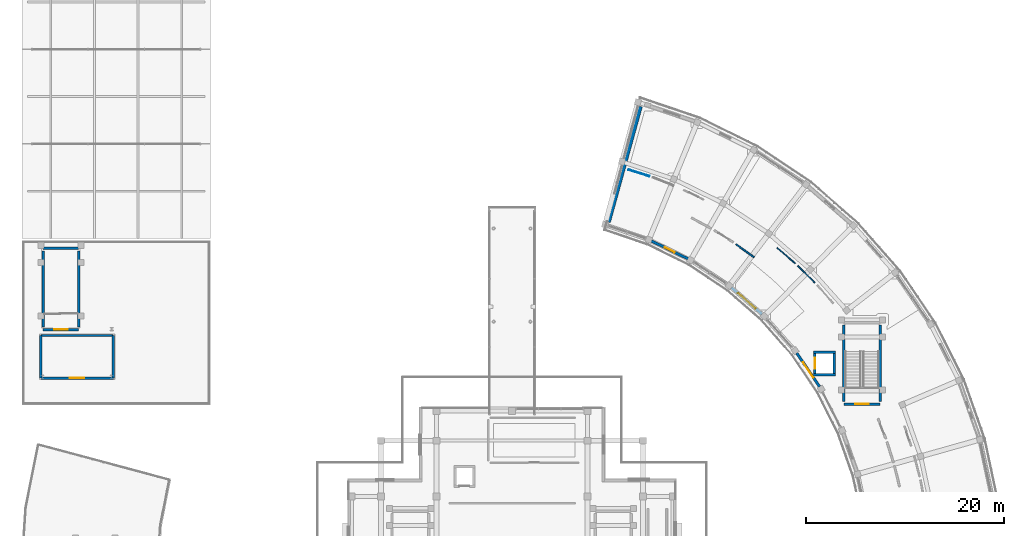
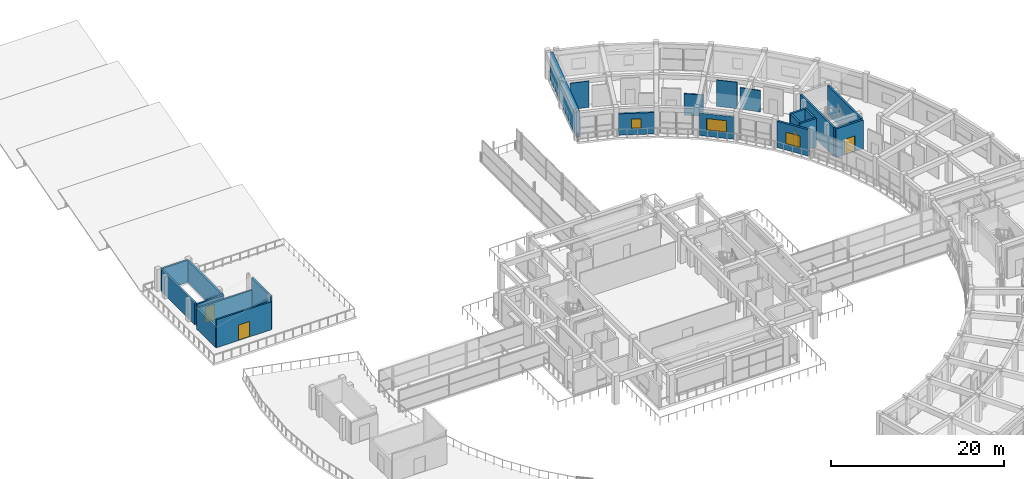
# One storey, part 38 of 53: 23 walls, 4 doors, 3 windows, 7 openings.
"""IFC4 building model written with IfcOpenShell, lengths in metres."""

from ifc_helpers import new_model, si_unit, direction, frame, frame_2d, origin, place, context, subcontext, project, spatial, rectangle, extrude, material, layer, layer_set, type_object, element, fill, save


model = new_model("IFC4")

# Units and contexts
model_context = context("Model", 3, precision=1e-05, world=origin(), true_north=direction((0.0, 1.0)))
body_context = subcontext(model_context, "Body", "Model", "MODEL_VIEW")
ifc_project = project(units=[si_unit("LENGTHUNIT", "METRE"), si_unit("AREAUNIT", "SQUARE_METRE"), si_unit("VOLUMEUNIT", "CUBIC_METRE"), si_unit("PLANEANGLEUNIT", "RADIAN"), si_unit("MASSUNIT", "GRAM", prefix="KILO")], contexts=[model_context])

# Site, building, storey
site_placement = place(None, origin())
site = spatial("IfcSite", under=ifc_project, at=site_placement, CompositionType="ELEMENT")
building_placement = place(site_placement, origin())
building = spatial("IfcBuilding", under=site, at=building_placement, Name="Saryqyr Civic Hall", CompositionType="ELEMENT")
storey_placement = place(building_placement, frame((0.0, 0.0, 21.300048828125)))
storey = spatial("IfcBuildingStorey", under=building, at=storey_placement, Name="L05", CompositionType="ELEMENT", Elevation=21.300048828125)

# Wall, opening, door
ifc_material_1 = material(Name="Precast concrete C40/50", Category="concrete")
ifc_layer_1 = layer(ifc_material_1, 0.219970703125, Name="Precast concrete C40/50")
ifc_layer_set_1 = layer_set([ifc_layer_1], Name="Precast concrete C40/50")
wall_type_1 = type_object("IfcWallType", Name="ENV-WAL-EXT-220", PredefinedType="STANDARD", material=ifc_layer_set_1)
wall_1_placement = place(storey_placement, frame((16.800048828125, 103.5, 0.0), z_axis=(0.0, 0.0, 1.0), x_axis=(-1.0, 0.0, 0.0)))
wall_1 = element("IfcWall", 1, at=wall_1_placement, inside=storey, type_object=wall_type_1, Name="Roof garden pavilion wall WAL-RG-V3-S", PredefinedType="STANDARD", context=body_context, shape_type="SweptSolid", body=[
    extrude(rectangle(XDim=7.300048828125, YDim=0.219970703125, at=frame_2d((3.64990234375, 0.0))), origin(), (0.0, 0.0, 1.0), 3.94384765625),
])
opening_1_placement = place(wall_1_placement, frame((2.89990234375, 0.0, 0.0)))
opening_1 = element("IfcOpeningElement", 2, at=opening_1_placement, cuts=wall_1, Name="Opening TD-A", PredefinedType="OPENING", context=body_context, shape_type="SweptSolid", body=[
    extrude(rectangle(XDim=1.5, YDim=2.199951171875, at=frame_2d((0.75, 1.10009765625))), frame((0.0, 0.119873046875, 0.0), z_axis=(0.0, -1.0, 0.0), x_axis=(1.0, 0.0, 0.0)), (0.0, 0.0, 1.0), 0.239990234375),
])
ifc_material_2 = material(Name="Thermally broken painted galvanized steel", Category="steel")
door_type_1 = type_object("IfcDoorType", Name="ENV-DR-TERR-1500x2200", OperationType="NOTDEFINED", PredefinedType="DOOR", material=ifc_material_2)
door_1_placement = place(opening_1_placement, origin())
door_1 = element("IfcDoor", 3, at=door_1_placement, inside=storey, type_object=door_type_1, Name="Planted roof garden terrace access door RG-V3", OperationType="SINGLE_SWING_LEFT", OverallHeight=2.199951171875, OverallWidth=1.5, PredefinedType="DOOR", context=body_context, shape_type="SweptSolid", body=[
    extrude(rectangle(XDim=1.5, YDim=2.199951171875, at=frame_2d((0.75, 1.10009765625))), frame((0.0, 0.02490234375, 0.0), z_axis=(0.0, -1.0, 0.0), x_axis=(1.0, 0.0, 0.0)), (0.0, 0.0, 1.0), 0.050048828125),
])
fill(opening_1, door_1)

# Walls
wall_2_placement = place(storey_placement, frame((16.800048828125, 107.800048828125, 0.0), z_axis=(0.0, 0.0, 1.0), x_axis=(0.0, -1.0, 0.0)))
element("IfcWall", 4, at=wall_2_placement, inside=storey, type_object=wall_type_1, Name="Roof garden pavilion wall WAL-RG-V3-E", PredefinedType="STANDARD", context=body_context, shape_type="SweptSolid", body=[
    extrude(rectangle(XDim=4.300048828125, YDim=0.219970703125, at=frame_2d((2.14990234375, 0.0))), origin(), (0.0, 0.0, 1.0), 4.707763671875),
])
wall_3_placement = place(storey_placement, frame((9.5, 107.800048828125, 0.0), z_axis=(0.0, 0.0, 1.0), x_axis=(1.0, 0.0, 0.0)))
element("IfcWall", 5, at=wall_3_placement, inside=storey, type_object=wall_type_1, Name="Roof garden pavilion wall WAL-RG-V3-N", PredefinedType="STANDARD", context=body_context, shape_type="SweptSolid", body=[
    extrude(rectangle(XDim=7.300048828125, YDim=0.219970703125, at=frame_2d((3.64990234375, 0.0))), origin(), (0.0, 0.0, 1.0), 3.0),
])
wall_4_placement = place(storey_placement, frame((9.5, 103.5, 0.0), z_axis=(0.0, 0.0, 1.0), x_axis=(0.0, 1.0, 0.0)))
element("IfcWall", 6, at=wall_4_placement, inside=storey, type_object=wall_type_1, Name="Roof garden pavilion wall WAL-RG-V3-W", PredefinedType="STANDARD", context=body_context, shape_type="SweptSolid", body=[
    extrude(rectangle(XDim=4.300048828125, YDim=0.219970703125, at=frame_2d((2.14990234375, 0.0))), origin(), (0.0, 0.0, 1.0), 3.0),
])

# Wall, opening, window
ifc_layer_2 = layer(ifc_material_1, 0.27001953125, Name="Precast concrete C40/50")
ifc_layer_set_2 = layer_set([ifc_layer_2], Name="Precast concrete C40/50")
wall_type_2 = type_object("IfcWallType", Name="ENV-WAL-EXT-270", PredefinedType="STANDARD", material=ifc_layer_set_2)
wall_5_placement = place(storey_placement, frame((88.00830078125, 102.64599609375, 0.0), z_axis=(0.0, 0.0, 1.0), x_axis=(-0.56312281457, 0.826373218171, 0.0)))
wall_5 = element("IfcWall", 7, at=wall_5_placement, inside=storey, type_object=wall_type_2, Name="Exterior wall V6-EWI-L05-04", PredefinedType="STANDARD", context=body_context, shape_type="SweptSolid", body=[
    extrude(rectangle(XDim=4.1064453125, YDim=0.27001953125, at=frame_2d((2.05322265625, 0.0))), origin(), (0.0, 0.0, 1.0), 3.699951171875),
])
opening_2_placement = place(wall_5_placement, frame((1.1279296875, 0.0, 0.85009765625)))
opening_2 = element("IfcOpeningElement", 8, at=opening_2_placement, cuts=wall_5, Name="Opening W-20", PredefinedType="OPENING", context=body_context, shape_type="SweptSolid", body=[
    extrude(rectangle(XDim=1.85009765625, YDim=1.64990234375, at=frame_2d((0.925048828125, 0.824951171875))), frame((0.0, 0.14501953125, 0.0), z_axis=(0.0, -1.0, 0.0), x_axis=(1.0, 0.0, 0.0)), (0.0, 0.0, 1.0), 0.2900390625),
])
ifc_material_3 = material(Name="Anodised aluminium and triple low-E glass", Category="aluminium")
window_type_1 = type_object("IfcWindowType", Name="ENV-WIN-W20", PartitioningType="SINGLE_PANEL", PredefinedType="WINDOW", material=ifc_material_3)
window_1_placement = place(opening_2_placement, origin())
window_1 = element("IfcWindow", 9, at=window_1_placement, inside=storey, type_object=window_type_1, Name="Courtyard window V6-L05-04", OverallHeight=1.64990234375, OverallWidth=1.85009765625, PartitioningType="SINGLE_PANEL", PredefinedType="WINDOW", context=body_context, shape_type="SweptSolid", body=[
    extrude(rectangle(XDim=1.85009765625, YDim=1.64990234375, at=frame_2d((0.925048828125, 0.824951171875))), frame((0.0, 0.030029296875, 0.0), z_axis=(0.0, -1.0, 0.0), x_axis=(1.0, 0.0, 0.0)), (0.0, 0.0, 1.0), 0.06005859375),
])
fill(opening_2, window_1)

wall_6_placement = place(storey_placement, frame((82.19189453125, 109.97021484375, 0.0), z_axis=(0.0, 0.0, 1.0), x_axis=(-0.755665234257, 0.654958054943, 0.0)))
wall_6 = element("IfcWall", 10, at=wall_6_placement, inside=storey, type_object=wall_type_2, Name="Exterior wall V6-EWI-L05-06", PredefinedType="STANDARD", context=body_context, shape_type="SweptSolid", body=[
    extrude(rectangle(XDim=4.053466796875, YDim=0.27001953125, at=frame_2d((2.02685546875, 0.0))), origin(), (0.0, 0.0, 1.0), 3.1650390625),
])
opening_3_placement = place(wall_6_placement, frame((0.85205078125, 0.0, 0.85009765625)))
opening_3 = element("IfcOpeningElement", 11, at=opening_3_placement, cuts=wall_6, Name="Opening W-22", PredefinedType="OPENING", context=body_context, shape_type="SweptSolid", body=[
    extrude(rectangle(XDim=2.35009765625, YDim=1.64990234375, at=frame_2d((1.175048828125, 0.824951171875))), frame((0.0, 0.14501953125, 0.0), z_axis=(0.0, -1.0, 0.0), x_axis=(1.0, 0.0, 0.0)), (0.0, 0.0, 1.0), 0.2900390625),
])
window_type_2 = type_object("IfcWindowType", Name="ENV-WIN-W22", PartitioningType="SINGLE_PANEL", PredefinedType="WINDOW", material=ifc_material_3)
window_2_placement = place(opening_3_placement, origin())
window_2 = element("IfcWindow", 12, at=window_2_placement, inside=storey, type_object=window_type_2, Name="Courtyard window V6-L05-06", OverallHeight=1.64990234375, OverallWidth=2.35009765625, PartitioningType="SINGLE_PANEL", PredefinedType="WINDOW", context=body_context, shape_type="SweptSolid", body=[
    extrude(rectangle(XDim=2.35009765625, YDim=1.64990234375, at=frame_2d((1.175048828125, 0.824951171875))), frame((0.0, 0.030029296875, 0.0), z_axis=(0.0, -1.0, 0.0), x_axis=(1.0, 0.0, 0.0)), (0.0, 0.0, 1.0), 0.06005859375),
])
fill(opening_3, window_2)

wall_7_placement = place(storey_placement, frame((74.760986328125, 115.525146484375, 0.0), z_axis=(0.0, 0.0, 1.0), x_axis=(-0.897962186219, 0.440072621417, 0.0)))
wall_7 = element("IfcWall", 13, at=wall_7_placement, inside=storey, type_object=wall_type_2, Name="Exterior wall V6-EWI-L05-08", PredefinedType="STANDARD", context=body_context, shape_type="SweptSolid", body=[
    extrude(rectangle(XDim=4.15185546875, YDim=0.27001953125, at=frame_2d((2.075927734375, 0.0))), origin(), (0.0, 0.0, 1.0), 3.014892578125),
])
opening_4_placement = place(wall_7_placement, frame((1.52587890625, 0.0, 0.85009765625)))
opening_4 = element("IfcOpeningElement", 14, at=opening_4_placement, cuts=wall_7, Name="Opening W-01", PredefinedType="OPENING", context=body_context, shape_type="SweptSolid", body=[
    extrude(rectangle(XDim=1.10009765625, YDim=1.35009765625, at=frame_2d((0.550048828125, 0.675048828125))), frame((0.0, 0.14501953125, 0.0), z_axis=(0.0, -1.0, 0.0), x_axis=(1.0, 0.0, 0.0)), (0.0, 0.0, 1.0), 0.2900390625),
])
window_type_3 = type_object("IfcWindowType", Name="ENV-WIN-W01", PartitioningType="SINGLE_PANEL", PredefinedType="WINDOW", material=ifc_material_3)
window_3_placement = place(opening_4_placement, origin())
window_3 = element("IfcWindow", 15, at=window_3_placement, inside=storey, type_object=window_type_3, Name="Courtyard window V6-L05-08", OverallHeight=1.35009765625, OverallWidth=1.10009765625, PartitioningType="SINGLE_PANEL", PredefinedType="WINDOW", context=body_context, shape_type="SweptSolid", body=[
    extrude(rectangle(XDim=1.10009765625, YDim=1.35009765625, at=frame_2d((0.550048828125, 0.675048828125))), frame((0.0, 0.030029296875, 0.0), z_axis=(0.0, -1.0, 0.0), x_axis=(1.0, 0.0, 0.0)), (0.0, 0.0, 1.0), 0.06005859375),
])
fill(opening_4, window_3)

# Walls
ifc_material_4 = material(Name="Concrete C40/50", Category="concrete")
ifc_layer_3 = layer(ifc_material_4, 0.3798828125, Name="Concrete C40/50")
ifc_layer_set_3 = layer_set([ifc_layer_3], Name="Concrete C40/50")
wall_type_3 = type_object("IfcWallType", Name="ENV-WAL-PTY-380", PredefinedType="SHEAR", material=ifc_layer_set_3)
wall_8_placement = place(storey_placement, frame((66.73681640625, 119.229248046875, 0.0), z_axis=(0.0, 0.0, 1.0), x_axis=(0.266399016259, 0.963862834711, 0.0)))
element("IfcWall", 16, at=wall_8_placement, inside=storey, type_object=wall_type_3, Name="Exterior wall V6-JNTW-B-L05", PredefinedType="SHEAR", context=body_context, shape_type="SweptSolid", body=[
    extrude(rectangle(XDim=12.099853515625, YDim=0.3798828125, at=frame_2d((6.0498046875, 0.0))), origin(), (0.0, 0.0, 1.0), 3.75),
])
ifc_material_5 = material(Name="Lightweight demountable partition", Category="gypsum")
ifc_layer_4 = layer(ifc_material_5, 0.094970703125, Name="Lightweight demountable partition")
ifc_layer_set_4 = layer_set([ifc_layer_4], Name="Lightweight demountable partition")
wall_type_4 = type_object("IfcWallType", Name="INT-WAL-PRT-095", PredefinedType="PARTITIONING", material=ifc_layer_set_4)
wall_9_placement = place(storey_placement, frame((70.865478515625, 123.850830078125, 0.0), z_axis=(0.0, 0.0, 1.0), x_axis=(-0.954164823444, 0.299281622727, 0.0)))
element("IfcWall", 17, at=wall_9_placement, inside=storey, type_object=wall_type_4, Name="Interior partition PRT-SP-V6-L05-R03-W3", PredefinedType="PARTITIONING", context=body_context, shape_type="SweptSolid", body=[
    extrude(rectangle(XDim=2.23681640625, YDim=0.094970703125, at=frame_2d((1.118408203125, 0.0))), origin(), (0.0, 0.0, 1.0), 3.699951171875),
])
ifc_material_6 = material(Name="Moisture-resistant gypsum partition", Category="gypsum")
ifc_layer_5 = layer(ifc_material_6, 0.110107421875, Name="Moisture-resistant gypsum partition")
ifc_layer_set_5 = layer_set([ifc_layer_5], Name="Moisture-resistant gypsum partition")
wall_type_5 = type_object("IfcWallType", Name="INT-WAL-PRT-110", PredefinedType="PARTITIONING", material=ifc_layer_set_5)
wall_10_placement = place(storey_placement, frame((87.525146484375, 113.130615234375, 0.0), z_axis=(0.0, 0.0, 1.0), x_axis=(-0.710838669343, 0.703355092514, 0.0)))
element("IfcWall", 18, at=wall_10_placement, inside=storey, type_object=wall_type_5, Name="Interior partition PRT-SP-V6-L05-R02-W1", PredefinedType="PARTITIONING", context=body_context, shape_type="SweptSolid", body=[
    extrude(rectangle(XDim=2.4140625, YDim=0.110107421875, at=frame_2d((1.20703125, 0.0))), origin(), (0.0, 0.0, 1.0), 3.014892578125),
])
wall_11_placement = place(storey_placement, frame((85.54541015625, 115.072998046875, 0.0), z_axis=(0.0, 0.0, 1.0), x_axis=(-0.755482181384, 0.655169194644, 0.0)))
element("IfcWall", 19, at=wall_11_placement, inside=storey, type_object=wall_type_5, Name="Interior partition PRT-SP-V6-L05-R02-W3", PredefinedType="PARTITIONING", context=body_context, shape_type="SweptSolid", body=[
    extrude(rectangle(XDim=2.414306640625, YDim=0.110107421875, at=frame_2d((1.20703125, 0.0))), origin(), (0.0, 0.0, 1.0), 3.699951171875),
])
ifc_material_7 = material(Name="Acoustic double-stud gypsum board", Category="gypsum")
ifc_layer_6 = layer(ifc_material_7, 0.155029296875, Name="Acoustic double-stud gypsum board")
ifc_layer_set_6 = layer_set([ifc_layer_6], Name="Acoustic double-stud gypsum board")
wall_type_6 = type_object("IfcWallType", Name="INT-WAL-PRT-155", PredefinedType="PARTITIONING", material=ifc_layer_set_6)
wall_12_placement = place(storey_placement, frame((79.58251953125, 117.009033203125, 0.0), z_axis=(0.0, 0.0, 1.0), x_axis=(0.80907331041, -0.58770773211, 0.0)))
element("IfcWall", 20, at=wall_12_placement, inside=storey, type_object=wall_type_6, Name="Interior partition PRT-SP-V6-L05-R05-W3", PredefinedType="PARTITIONING", context=body_context, shape_type="SweptSolid", body=[
    extrude(rectangle(XDim=2.253173828125, YDim=0.155029296875, at=frame_2d((1.12646484375, 0.0))), origin(), (0.0, 0.0, 1.0), 3.014892578125),
])
ifc_layer_7 = layer(ifc_material_4, 0.239990234375, Name="Concrete C40/50")
ifc_layer_set_7 = layer_set([ifc_layer_7], Name="Concrete C40/50")
wall_type_7 = type_object("IfcWallType", Name="INT-WAL-SHR-240", PredefinedType="SHEAR", material=ifc_layer_set_7)
wall_13_placement = place(storey_placement, frame((89.60009765625, 103.8701171875, 0.0), z_axis=(0.0, 0.0, 1.0), x_axis=(-1.0, 0.0, 0.0)))
element("IfcWall", 21, at=wall_13_placement, inside=storey, type_object=wall_type_7, Name="Lift shaft shear wall LF-08-SHW-S-L05", PredefinedType="SHEAR", context=body_context, shape_type="SweptSolid", body=[
    extrude(rectangle(XDim=2.2001953125, YDim=0.239990234375, at=frame_2d((1.10009765625, 0.0))), origin(), (0.0, 0.0, 1.0), 4.050048828125),
])
wall_14_placement = place(storey_placement, frame((89.47998046875, 106.010009765625, 0.0), z_axis=(0.0, 0.0, 1.0), x_axis=(0.0, -1.0, 0.0)))
element("IfcWall", 22, at=wall_14_placement, inside=storey, type_object=wall_type_7, Name="Lift shaft shear wall LF-08-SHW-E-L05", PredefinedType="SHEAR", context=body_context, shape_type="SweptSolid", body=[
    extrude(rectangle(XDim=2.02001953125, YDim=0.239990234375, at=frame_2d((1.010009765625, 0.0))), origin(), (0.0, 0.0, 1.0), 4.050048828125),
])
wall_15_placement = place(storey_placement, frame((87.39990234375, 106.1298828125, 0.0), z_axis=(0.0, 0.0, 1.0), x_axis=(1.0, 0.0, 0.0)))
element("IfcWall", 23, at=wall_15_placement, inside=storey, type_object=wall_type_7, Name="Lift shaft shear wall LF-08-SHW-N-L05", PredefinedType="SHEAR", context=body_context, shape_type="SweptSolid", body=[
    extrude(rectangle(XDim=2.2001953125, YDim=0.239990234375, at=frame_2d((1.10009765625, 0.0))), origin(), (0.0, 0.0, 1.0), 4.050048828125),
])

# Wall, opening, door
wall_16_placement = place(storey_placement, frame((87.52001953125, 103.989990234375, 0.0), z_axis=(0.0, 0.0, 1.0), x_axis=(0.0, 1.0, 0.0)))
wall_16 = element("IfcWall", 24, at=wall_16_placement, inside=storey, type_object=wall_type_7, Name="Lift shaft shear wall LF-08-SHW-W-L05", PredefinedType="SHEAR", context=body_context, shape_type="SweptSolid", body=[
    extrude(rectangle(XDim=2.02001953125, YDim=0.239990234375, at=frame_2d((1.010009765625, 0.0))), origin(), (0.0, 0.0, 1.0), 4.050048828125),
])
opening_5_placement = place(wall_16_placement, frame((0.4599609375, 0.0, 0.0)))
opening_5 = element("IfcOpeningElement", 25, at=opening_5_placement, cuts=wall_16, Name="Opening LD-01", PredefinedType="OPENING", context=body_context, shape_type="SweptSolid", body=[
    extrude(rectangle(XDim=1.10009765625, YDim=2.14990234375, at=frame_2d((0.550048828125, 1.074951171875))), frame((0.0, 0.1298828125, 0.0), z_axis=(0.0, -1.0, 0.0), x_axis=(1.0, 0.0, 0.0)), (0.0, 0.0, 1.0), 0.260009765625),
])
ifc_material_8 = material(Name="Brushed stainless steel", Category="steel")
door_type_2 = type_object("IfcDoorType", Name="INT-DR-LD-1100x2150", OperationType="NOTDEFINED", PredefinedType="DOOR", material=ifc_material_8)
door_2_placement = place(opening_5_placement, origin())
door_2 = element("IfcDoor", 26, at=door_2_placement, inside=storey, type_object=door_type_2, Name="Lift sliding landing door LF-08 L05", OperationType="SLIDING_TO_RIGHT", OverallHeight=2.14990234375, OverallWidth=1.10009765625, PredefinedType="DOOR", context=body_context, shape_type="SweptSolid", body=[
    extrude(rectangle(XDim=1.10009765625, YDim=2.14990234375, at=frame_2d((0.550048828125, 1.074951171875))), frame((0.0, 0.02490234375, 0.0), z_axis=(0.0, -1.0, 0.0), x_axis=(1.0, 0.0, 0.0)), (0.0, 0.0, 1.0), 0.050048828125),
])
fill(opening_5, door_2)

ifc_layer_8 = layer(ifc_material_4, 0.25, Name="Concrete C40/50")
ifc_layer_set_8 = layer_set([ifc_layer_8], Name="Concrete C40/50")
wall_type_8 = type_object("IfcWallType", Name="INT-WAL-SHR-250", PredefinedType="SHEAR", material=ifc_layer_set_8)
wall_17_placement = place(storey_placement, frame((13.300048828125, 108.39990234375, 0.0), z_axis=(0.0, 0.0, 1.0), x_axis=(-1.0, 0.0, 0.0)))
wall_17 = element("IfcWall", 27, at=wall_17_placement, inside=storey, type_object=wall_type_8, Name="Protected stair shaft wall ST-3-SW1-L05", PredefinedType="SHEAR", context=body_context, shape_type="SweptSolid", body=[
    extrude(rectangle(XDim=3.56005859375, YDim=0.25, at=frame_2d((1.780029296875, 0.0))), origin(), (0.0, 0.0, 1.0), 3.099853515625),
])
opening_6_placement = place(wall_17_placement, frame((1.10498046875, 0.0, 0.0)))
opening_6 = element("IfcOpeningElement", 28, at=opening_6_placement, cuts=wall_17, Name="Opening SD-01", PredefinedType="OPENING", context=body_context, shape_type="SweptSolid", body=[
    extrude(rectangle(XDim=1.35009765625, YDim=2.199951171875, at=frame_2d((0.675048828125, 1.10009765625))), frame((0.0, 0.135009765625, 0.0), z_axis=(0.0, -1.0, 0.0), x_axis=(1.0, 0.0, 0.0)), (0.0, 0.0, 1.0), 0.27001953125),
])
ifc_material_9 = material(Name="Painted galvanized steel", Category="steel")
door_type_3 = type_object("IfcDoorType", Name="INT-DR-STAIR-1350x2200", OperationType="NOTDEFINED", PredefinedType="DOOR", material=ifc_material_9)
door_3_placement = place(opening_6_placement, origin())
door_3 = element("IfcDoor", 29, at=door_3_placement, inside=storey, type_object=door_type_3, Name="Exit stair landing fire door ST-3-L05", OperationType="SINGLE_SWING_LEFT", OverallHeight=2.199951171875, OverallWidth=1.35009765625, PredefinedType="DOOR", context=body_context, shape_type="SweptSolid", body=[
    extrude(rectangle(XDim=1.35009765625, YDim=2.199951171875, at=frame_2d((0.675048828125, 1.10009765625))), frame((0.0, 0.02490234375, 0.0), z_axis=(0.0, -1.0, 0.0), x_axis=(1.0, 0.0, 0.0)), (0.0, 0.0, 1.0), 0.050048828125),
])
fill(opening_6, door_3)

# Walls
wall_18_placement = place(storey_placement, frame((9.739990234375, 108.64990234375, 0.0), z_axis=(0.0, 0.0, 1.0), x_axis=(0.0, 1.0, 0.0)))
element("IfcWall", 30, at=wall_18_placement, inside=storey, type_object=wall_type_8, Name="Protected stair shaft wall ST-3-SW2-L05", PredefinedType="SHEAR", context=body_context, shape_type="SweptSolid", body=[
    extrude(rectangle(XDim=7.7001953125, YDim=0.25, at=frame_2d((3.85009765625, 0.0))), origin(), (0.0, 0.0, 1.0), 3.099853515625),
])
wall_19_placement = place(storey_placement, frame((9.739990234375, 116.60009765625, 0.0), z_axis=(0.0, 0.0, 1.0), x_axis=(1.0, 0.0, 0.0)))
element("IfcWall", 31, at=wall_19_placement, inside=storey, type_object=wall_type_8, Name="Protected stair shaft wall ST-3-SW3-L05", PredefinedType="SHEAR", context=body_context, shape_type="SweptSolid", body=[
    extrude(rectangle(XDim=3.56005859375, YDim=0.25, at=frame_2d((1.780029296875, 0.0))), origin(), (0.0, 0.0, 1.0), 3.099853515625),
])
wall_20_placement = place(storey_placement, frame((13.300048828125, 116.35009765625, 0.0), z_axis=(0.0, 0.0, 1.0), x_axis=(0.0, -1.0, 0.0)))
element("IfcWall", 32, at=wall_20_placement, inside=storey, type_object=wall_type_8, Name="Protected stair shaft wall ST-3-SW4-L05", PredefinedType="SHEAR", context=body_context, shape_type="SweptSolid", body=[
    extrude(rectangle(XDim=7.7001953125, YDim=0.25, at=frame_2d((3.85009765625, 0.0))), origin(), (0.0, 0.0, 1.0), 3.099853515625),
])

# Wall, opening, door
wall_21_placement = place(storey_placement, frame((94.10009765625, 100.89990234375, 0.0), z_axis=(0.0, 0.0, 1.0), x_axis=(-1.0, 0.0, 0.0)))
wall_21 = element("IfcWall", 33, at=wall_21_placement, inside=storey, type_object=wall_type_8, Name="Protected stair shaft wall ST-6-SW1-L05", PredefinedType="SHEAR", context=body_context, shape_type="SweptSolid", body=[
    extrude(rectangle(XDim=3.64013671875, YDim=0.25, at=frame_2d((1.820068359375, 0.0))), origin(), (0.0, 0.0, 1.0), 4.050048828125),
])
opening_7_placement = place(wall_21_placement, frame((1.14501953125, 0.0, 0.0)))
opening_7 = element("IfcOpeningElement", 34, at=opening_7_placement, cuts=wall_21, Name="Opening SD-01", PredefinedType="OPENING", context=body_context, shape_type="SweptSolid", body=[
    extrude(rectangle(XDim=1.35009765625, YDim=2.199951171875, at=frame_2d((0.675048828125, 1.10009765625))), frame((0.0, 0.135009765625, 0.0), z_axis=(0.0, -1.0, 0.0), x_axis=(1.0, 0.0, 0.0)), (0.0, 0.0, 1.0), 0.27001953125),
])
door_4_placement = place(opening_7_placement, origin())
door_4 = element("IfcDoor", 35, at=door_4_placement, inside=storey, type_object=door_type_3, Name="Exit stair landing fire door ST-6-L05", OperationType="SINGLE_SWING_LEFT", OverallHeight=2.199951171875, OverallWidth=1.35009765625, PredefinedType="DOOR", context=body_context, shape_type="SweptSolid", body=[
    extrude(rectangle(XDim=1.35009765625, YDim=2.199951171875, at=frame_2d((0.675048828125, 1.10009765625))), frame((0.0, 0.02490234375, 0.0), z_axis=(0.0, -1.0, 0.0), x_axis=(1.0, 0.0, 0.0)), (0.0, 0.0, 1.0), 0.050048828125),
])
fill(opening_7, door_4)

# Walls
for number, where, z_axis, x_axis, name in (
    (36, (90.4599609375, 101.14990234375, 0.0), (0.0, 0.0, 1.0), (0.0, 1.0, 0.0), "Protected stair shaft wall ST-6-SW2-L05"),
    (37, (94.10009765625, 108.85009765625, 0.0), (0.0, 0.0, 1.0), (0.0, -1.0, 0.0), "Protected stair shaft wall ST-6-SW4-L05"),
):
    element("IfcWall", number, at=place(storey_placement, frame(where, z_axis=z_axis, x_axis=x_axis)), inside=storey, type_object=wall_type_8, Name=name, PredefinedType="SHEAR", context=body_context, shape_type="SweptSolid", body=[
        extrude(rectangle(XDim=7.7001953125, YDim=0.25, at=frame_2d((3.85009765625, 0.0))), origin(), (0.0, 0.0, 1.0), 4.050048828125),
    ])

save(model, "model.ifc")
